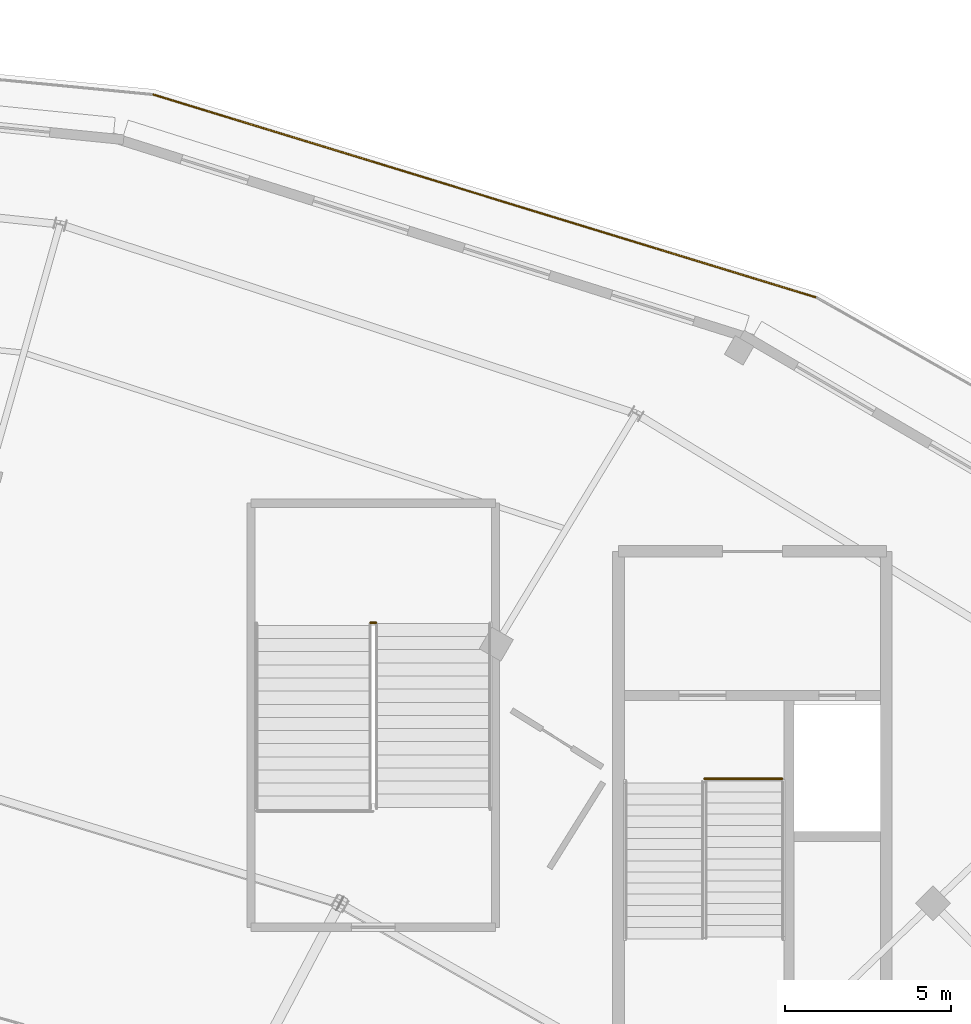
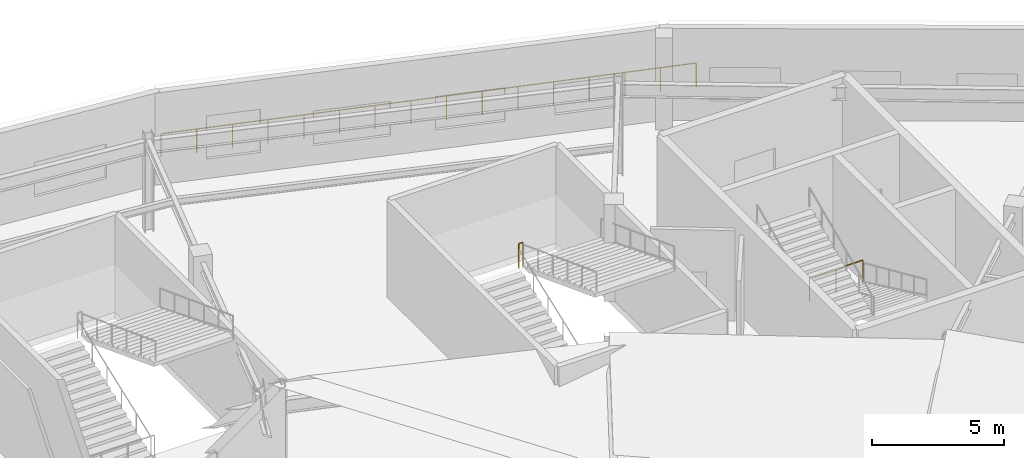
# One storey, part 59 of 63: 3 railings.
"""IFC4 building model written with IfcOpenShell, lengths in metres."""

from ifc_helpers import new_model, si_unit, direction, frame, origin, origin_2d, place, context, subcontext, project, spatial, circle, extrude, material, type_object, element, save


model = new_model("IFC4")

# Units and contexts
model_context = context("Model", 3, precision=1e-05, world=origin(), true_north=direction((0.0, 1.0)))
body_context = subcontext(model_context, "Body", "Model", "MODEL_VIEW")
ifc_project = project(units=[si_unit("LENGTHUNIT", "METRE"), si_unit("AREAUNIT", "SQUARE_METRE"), si_unit("VOLUMEUNIT", "CUBIC_METRE"), si_unit("PLANEANGLEUNIT", "RADIAN"), si_unit("MASSUNIT", "GRAM", prefix="KILO")], contexts=[model_context])

# Site, building, storey
site_placement = place(None, origin())
site = spatial("IfcSite", under=ifc_project, at=site_placement, CompositionType="ELEMENT")
building_placement = place(site_placement, origin())
building = spatial("IfcBuilding", under=site, at=building_placement, Name="Kalgoora Escarpment Arena", CompositionType="ELEMENT")
storey_placement = place(building_placement, frame((0.0, 0.0, 14.39990234375)))
storey = spatial("IfcBuildingStorey", under=building, at=storey_placement, Name="L03", CompositionType="ELEMENT", Elevation=14.39990234375)

# Railings
ifc_material_1 = material(Name="Galvanised & powdercoated tubular steel", Category="steel")
railing_type_1 = type_object("IfcRailingType", Name="RAL-GUARD-1120", PredefinedType="GUARDRAIL", material=ifc_material_1)
railing_1_placement = place(storey_placement, frame((132.68994140625, 102.389892578125, 0.0)))
element("IfcRailing", 1, at=railing_1_placement, inside=storey, type_object=railing_type_1, Name="ST04 L03 floor landing well guard", PredefinedType="GUARDRAIL", context=body_context, shape_type="SweptSolid", body=[
    extrude(circle(Radius=0.02392578125, at=origin_2d()), frame((0.0, 0.0, 1.09619140625), z_axis=(-1.0, 0.0, 0.0), x_axis=(0.0, -1.0, 0.0)), (0.0, 0.0, 1.0), 2.33984375),
    extrude(circle(Radius=0.02099609375, at=origin_2d()), origin(), (0.0, 0.0, 1.0), 1.072021484375),
    extrude(circle(Radius=0.02099609375, at=origin_2d()), frame((-1.169921875, 0.0, 0.0)), (0.0, 0.0, 1.0), 1.072021484375),
    extrude(circle(Radius=0.02099609375, at=origin_2d()), frame((-2.33984375, 0.0, 0.0)), (0.0, 0.0, 1.0), 1.072021484375),
])
railing_2_placement = place(storey_placement, frame((120.31005859375, 107.080078125, 2.25)))
element("IfcRailing", 2, at=railing_2_placement, inside=storey, type_object=railing_type_1, Name="ST12 L03 half-landing well guard", PredefinedType="GUARDRAIL", context=body_context, shape_type="SweptSolid", body=[
    extrude(circle(Radius=0.02392578125, at=origin_2d()), frame((0.0, 0.0, 1.09619140625), z_axis=(1.0, 0.0, 0.0), x_axis=(0.0, 1.0, 0.0)), (0.0, 0.0, 1.0), 0.179931640625),
    extrude(circle(Radius=0.02099609375, at=origin_2d()), origin(), (0.0, 0.0, 1.0), 1.072021484375),
    extrude(circle(Radius=0.02099609375, at=origin_2d()), frame((0.179931640625, 0.0, 0.0)), (0.0, 0.0, 1.0), 1.072021484375),
])
ifc_material_2 = material(Name="Champagne anodised aluminium & laminated glass", Category="aluminium")
railing_type_2 = type_object("IfcRailingType", Name="RAL-TERR-1100", PredefinedType="GUARDRAIL", material=ifc_material_2)
railing_3_placement = place(storey_placement, frame((113.798583984375, 122.95703125, 0.0)))
element("IfcRailing", 3, at=railing_3_placement, inside=storey, type_object=railing_type_2, Name="Upper Planted Elliptical Garden Terrace perimeter guardrail 018", PredefinedType="GUARDRAIL", context=body_context, shape_type="SweptSolid", body=[
    extrude(circle(Radius=0.02392578125, at=origin_2d()), frame((0.0, 0.0, 1.09619140625), z_axis=(0.956191728714, -0.292741144937, 0.0), x_axis=(0.292741144937, 0.956191728714, 0.0)), (0.0, 0.0, 1.0), 20.851318359375),
    extrude(circle(Radius=0.02099609375, at=origin_2d()), origin(), (0.0, 0.0, 1.0), 1.072021484375),
    extrude(circle(Radius=0.02099609375, at=origin_2d()), frame((1.3291015625, -0.406982421875, 0.0)), (0.0, 0.0, 1.0), 1.072021484375),
    extrude(circle(Radius=0.02099609375, at=origin_2d()), frame((2.658447265625, -0.81396484375, 0.0)), (0.0, 0.0, 1.0), 1.072021484375),
    extrude(circle(Radius=0.02099609375, at=origin_2d()), frame((3.987548828125, -1.220703125, 0.0)), (0.0, 0.0, 1.0), 1.072021484375),
    extrude(circle(Radius=0.02099609375, at=origin_2d()), frame((5.316650390625, -1.627685546875, 0.0)), (0.0, 0.0, 1.0), 1.072021484375),
    extrude(circle(Radius=0.02099609375, at=origin_2d()), frame((6.64599609375, -2.03466796875, 0.0)), (0.0, 0.0, 1.0), 1.072021484375),
    extrude(circle(Radius=0.02099609375, at=origin_2d()), frame((7.97509765625, -2.441650390625, 0.0)), (0.0, 0.0, 1.0), 1.072021484375),
    extrude(circle(Radius=0.02099609375, at=origin_2d()), frame((9.30419921875, -2.8486328125, 0.0)), (0.0, 0.0, 1.0), 1.072021484375),
    extrude(circle(Radius=0.02099609375, at=origin_2d()), frame((10.633544921875, -3.25537109375, 0.0)), (0.0, 0.0, 1.0), 1.072021484375),
    extrude(circle(Radius=0.02099609375, at=origin_2d()), frame((11.962646484375, -3.662353515625, 0.0)), (0.0, 0.0, 1.0), 1.072021484375),
    extrude(circle(Radius=0.02099609375, at=origin_2d()), frame((13.291748046875, -4.0693359375, 0.0)), (0.0, 0.0, 1.0), 1.072021484375),
    extrude(circle(Radius=0.02099609375, at=origin_2d()), frame((14.62109375, -4.476318359375, 0.0)), (0.0, 0.0, 1.0), 1.072021484375),
    extrude(circle(Radius=0.02099609375, at=origin_2d()), frame((15.9501953125, -4.88330078125, 0.0)), (0.0, 0.0, 1.0), 1.072021484375),
    extrude(circle(Radius=0.02099609375, at=origin_2d()), frame((17.279296875, -5.2900390625, 0.0)), (0.0, 0.0, 1.0), 1.072021484375),
    extrude(circle(Radius=0.02099609375, at=origin_2d()), frame((18.608642578125, -5.697021484375, 0.0)), (0.0, 0.0, 1.0), 1.072021484375),
    extrude(circle(Radius=0.02099609375, at=origin_2d()), frame((19.937744140625, -6.10400390625, 0.0)), (0.0, 0.0, 1.0), 1.072021484375),
])

save(model, "model.ifc")
